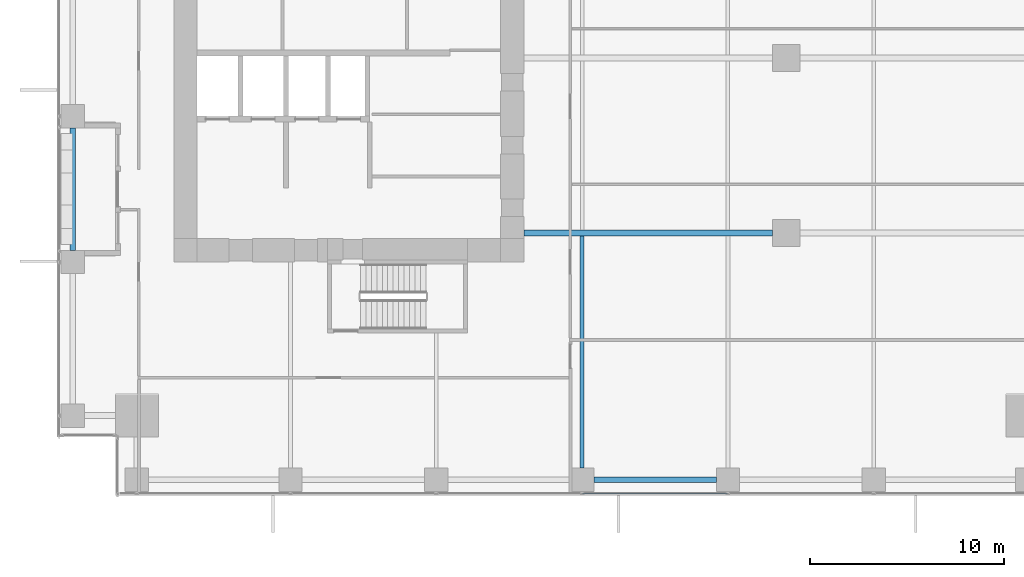
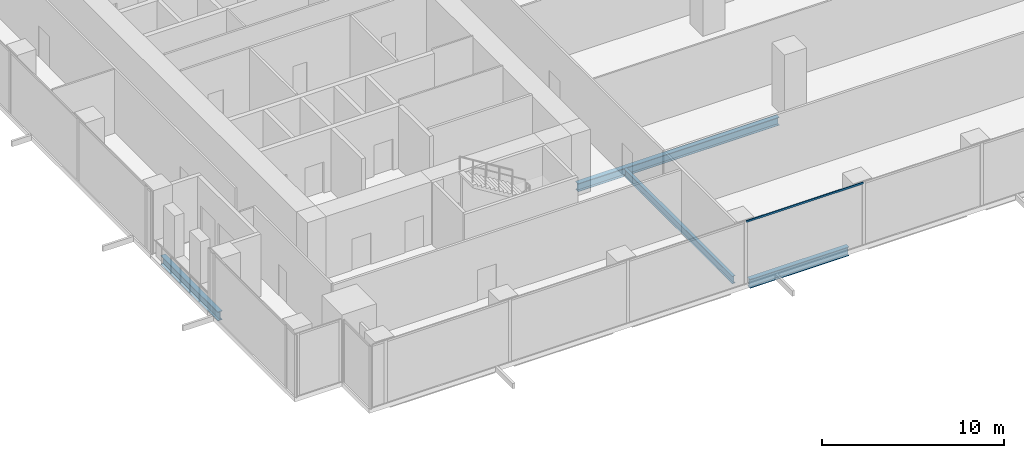
# One storey, part 4 of 33: 4 beams, 1 member, 1 element without a shape of its own.
"""IFC4 building model written with IfcOpenShell, lengths in metres."""

from ifc_helpers import new_model, si_unit, direction, frame, origin, origin_2d, place, context, subcontext, project, spatial, hollow_rectangle, i_section, extrude, source, transform, mapped, material, material_profile, profile_set, type_object, element, aggregate, save


model = new_model("IFC4")

# Units and contexts
model_context = context("Model", 3, precision=1e-05, world=origin(), true_north=direction((0.0, 1.0)))
body_context = subcontext(model_context, "Body", "Model", "MODEL_VIEW")
ifc_project = project(units=[si_unit("LENGTHUNIT", "METRE"), si_unit("AREAUNIT", "SQUARE_METRE"), si_unit("VOLUMEUNIT", "CUBIC_METRE"), si_unit("PLANEANGLEUNIT", "RADIAN"), si_unit("MASSUNIT", "GRAM", prefix="KILO")], contexts=[model_context])

# Site, building, storey
site_placement = place(None, origin())
site = spatial("IfcSite", under=ifc_project, at=site_placement, CompositionType="ELEMENT")
building_placement = place(site_placement, origin())
building = spatial("IfcBuilding", under=site, at=building_placement, Name="Khomas Fold Tower", CompositionType="ELEMENT")
storey_placement = place(building_placement, frame((0.0, 0.0, 55.5)))
storey = spatial("IfcBuildingStorey", under=building, at=storey_placement, Name="L11", CompositionType="ELEMENT", Elevation=55.5)

# Beams
ifc_material_1 = material(Name="Steel S355", Category="steel")
ifc_material_profile_1 = material_profile(ifc_material_1, i_section(OverallWidth=0.300048828125, OverallDepth=0.550048828125, WebThickness=0.014892578125, FlangeThickness=0.029052734375, at=origin_2d()), Name="HE 550 B")
ifc_profile_set_1 = profile_set([ifc_material_profile_1], Name="Steel S355")
beam_type_1 = type_object("IfcBeamType", Name="HE 550 B beam GB4", PredefinedType="BEAM", material=ifc_profile_set_1)
shared_shape_1 = source(origin(), body_context, "Body", "SweptSolid", [
    extrude(i_section(OverallWidth=0.300048828125, OverallDepth=0.550048828125, WebThickness=0.014892578125, FlangeThickness=0.029052734375, at=origin_2d()), origin(), (0.0, 0.0, 1.0), 12.800048828125),
])
beam_1_placement = place(storey_placement, frame((24.0, 13.5, -0.574951171875), z_axis=(1.0, 0.0, 0.0), x_axis=(0.0, 1.0, 0.0)))
element("IfcBeam", 1, at=beam_1_placement, inside=storey, type_object=beam_type_1, Name="GB4", PredefinedType="BEAM", context=body_context, shape_type="MappedRepresentation", body=[
    mapped(shared_shape_1, transform((0.0, 0.0, 0.0))),
])
ifc_material_2 = material(Name="Steel S355", Category="steel")
ifc_material_profile_2 = material_profile(ifc_material_2, i_section(OverallWidth=0.300048828125, OverallDepth=0.60009765625, WebThickness=0.015380859375, FlangeThickness=0.030029296875, at=origin_2d()), Name="HE 600 B")
ifc_profile_set_2 = profile_set([ifc_material_profile_2], Name="Steel S355")
beam_type_2 = type_object("IfcBeamType", Name="HE 600 B spandrel SB1", PredefinedType="SPANDREL", material=ifc_profile_set_2)
shared_shape_2 = source(origin(), body_context, "Body", "SweptSolid", [
    extrude(i_section(OverallWidth=0.300048828125, OverallDepth=0.60009765625, WebThickness=0.015380859375, FlangeThickness=0.030029296875, at=origin_2d()), origin(), (0.0, 0.0, 1.0), 6.2998046875),
])
for number, where, z_axis, x_axis, name in (
    (2, (27.60009765625, 0.800048828125, -0.60009765625), (1.0, 0.0, 0.0), (0.0, 1.0, 0.0), "SB1"),
    (3, (0.800048828125, 12.60009765625, -0.60009765625), (0.0, 1.0, 0.0), (-1.0, 0.0, 0.0), "SB1"),
):
    element("IfcBeam", number, at=place(storey_placement, frame(where, z_axis=z_axis, x_axis=x_axis)), inside=storey, type_object=beam_type_2, Name=name, PredefinedType="SPANDREL", context=body_context, shape_type="MappedRepresentation", body=[
        mapped(shared_shape_2, transform((0.0, 0.0, 0.0))),
    ])
ifc_material_3 = material(Name="Steel S355", Category="steel")
ifc_material_profile_3 = material_profile(ifc_material_3, i_section(OverallWidth=0.199951171875, OverallDepth=0.5, WebThickness=0.01025390625, FlangeThickness=0.01611328125, at=origin_2d()), Name="IPE 500")
ifc_profile_set_3 = profile_set([ifc_material_profile_3], Name="Steel S355")
beam_type_3 = type_object("IfcBeamType", Name="IPE 500 beam JB5", PredefinedType="BEAM", material=ifc_profile_set_3)
shared_shape_3 = source(origin(), body_context, "Body", "SweptSolid", [
    extrude(i_section(OverallWidth=0.199951171875, OverallDepth=0.5, WebThickness=0.01025390625, FlangeThickness=0.01611328125, at=origin_2d()), origin(), (0.0, 0.0, 1.0), 11.9501953125),
])
beam_2_placement = place(storey_placement, frame((27.0, 1.39990234375, -0.550048828125), z_axis=(0.0, 1.0, 0.0), x_axis=(-1.0, 0.0, 0.0)))
element("IfcBeam", 4, at=beam_2_placement, inside=storey, type_object=beam_type_3, Name="JB5", PredefinedType="BEAM", context=body_context, shape_type="MappedRepresentation", body=[
    mapped(shared_shape_3, transform((0.0, 0.0, 0.0))),
])

# Curtain wall, member
ifc_material_4 = material(Name="Aluminium framed double glazing", Category="aluminium")
curtain_wall_type = type_object("IfcCurtainWallType", Name="SK-Unitised clear-glass wall, growing floors CW1", PredefinedType="NOTDEFINED", material=ifc_material_4)
curtain_wall_placement = place(storey_placement, origin())
curtain_wall = element("IfcCurtainWall", 5, at=curtain_wall_placement, inside=storey, type_object=curtain_wall_type, Name="CW1 run L11 00-0", PredefinedType="NOTDEFINED")
ifc_material_5 = material(Name="Aluminium", Category="aluminium")
ifc_material_profile_4 = material_profile(ifc_material_5, hollow_rectangle(XDim=0.06005859375, YDim=0.1201171875, WallThickness=0.00390625, at=origin_2d()), Name="SK-Unitised clear-glass wall, growing floors transom CW1-T")
ifc_profile_set_4 = profile_set([ifc_material_profile_4], Name="Aluminium")
member_type = type_object("IfcMemberType", Name="SK-Unitised clear-glass wall, growing floors transom CW1-T", PredefinedType="USERDEFINED", material=ifc_profile_set_4)
shared_shape_4 = source(origin(), body_context, "Body", "SweptSolid", [
    extrude(hollow_rectangle(XDim=0.06005859375, YDim=0.1201171875, WallThickness=0.00390625, at=origin_2d()), origin(), (0.0, 0.0, 1.0), 7.43994140625),
])
member_placement = place(storey_placement, frame((27.030029296875, 0.10009765625, 4.139892578125), z_axis=(1.0, 0.0, 0.0), x_axis=(0.0, 1.0, 0.0)))
member = element("IfcMember", 6, at=member_placement, type_object=member_type, Name="CW1 transom 5", ObjectType="TRANSOM", PredefinedType="USERDEFINED", context=body_context, shape_type="MappedRepresentation", body=[
    mapped(shared_shape_4, transform((0.0, 0.0, 0.0))),
])
aggregate(curtain_wall, [member])

save(model, "model.ifc")
